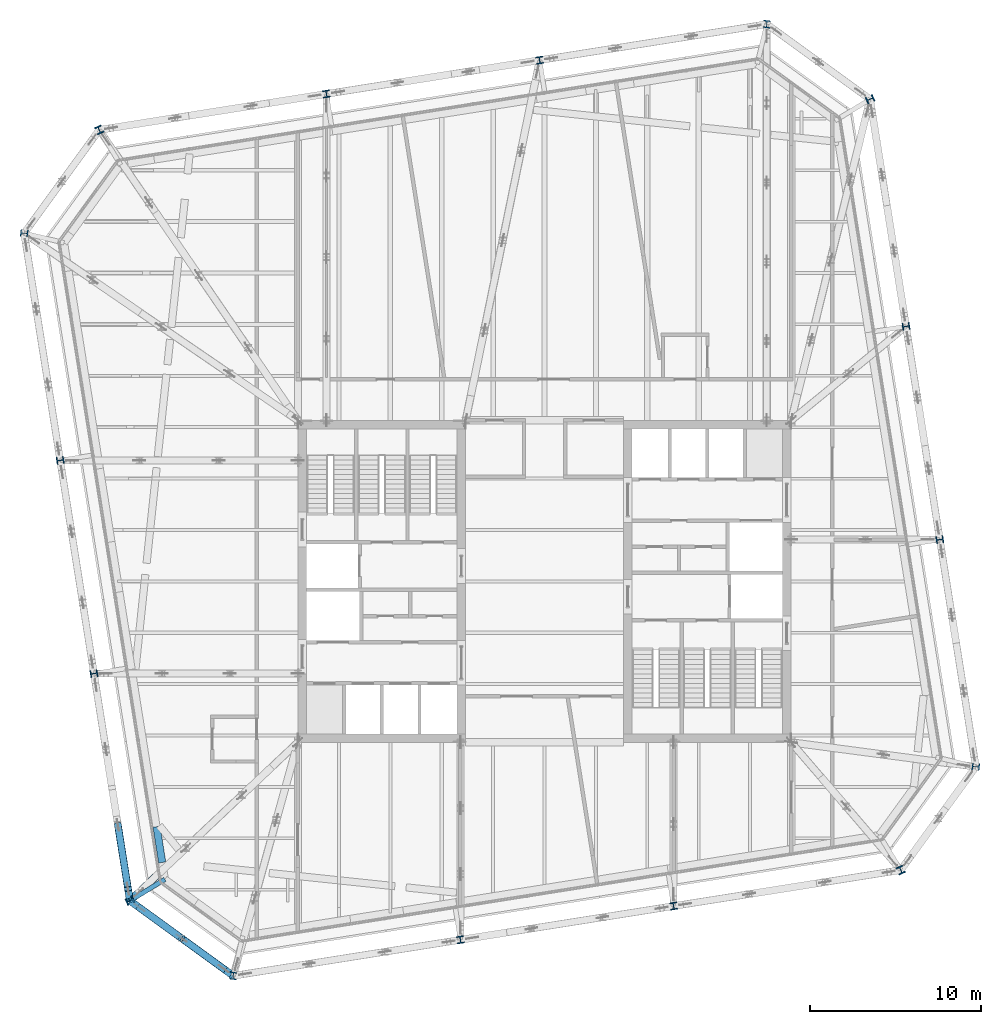
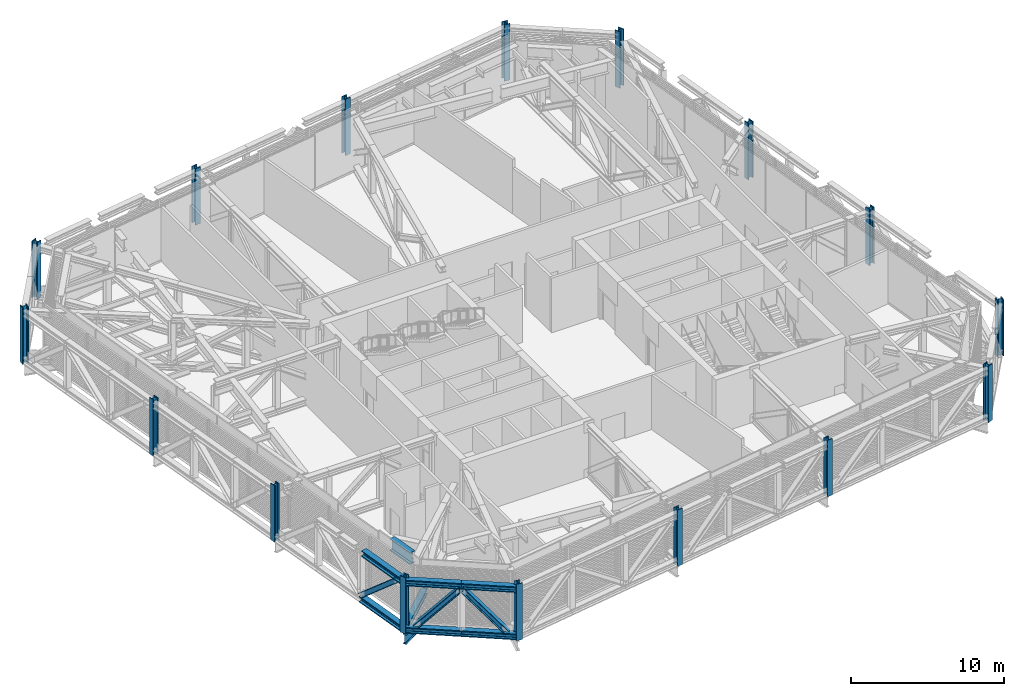
# One storey, part 1 of 32: 16 columns, 9 beams, 3 members.
"""IFC4 building model written with IfcOpenShell, lengths in metres."""

from ifc_helpers import new_model, si_unit, direction, frame, origin, origin_2d, place, context, subcontext, project, spatial, i_section, extrude, material, material_profile, profile_set, type_object, element, save


model = new_model("IFC4")

# Units and contexts
model_context = context("Model", 3, precision=1e-05, world=origin(), true_north=direction((0.0, 1.0)))
body_context = subcontext(model_context, "Body", "Model", "MODEL_VIEW")
ifc_project = project(units=[si_unit("LENGTHUNIT", "METRE"), si_unit("AREAUNIT", "SQUARE_METRE"), si_unit("VOLUMEUNIT", "CUBIC_METRE"), si_unit("PLANEANGLEUNIT", "RADIAN"), si_unit("MASSUNIT", "GRAM", prefix="KILO")], contexts=[model_context])

# Site, building, storey
site_placement = place(None, origin())
site = spatial("IfcSite", under=ifc_project, at=site_placement, CompositionType="ELEMENT")
building_placement = place(site_placement, origin())
building = spatial("IfcBuilding", under=site, at=building_placement, Name="Millrace Tower", CompositionType="ELEMENT")
storey_placement = place(building_placement, frame((0.0, 0.0, 266.89990234375)))
storey = spatial("IfcBuildingStorey", under=building, at=storey_placement, Name="L61", CompositionType="ELEMENT", Elevation=266.89990234375)

# Columns
ifc_material_1 = material(Name="Steel ASTM A913 Grade 65", Category="steel")
ifc_material_profile_1 = material_profile(ifc_material_1, i_section(OverallWidth=0.408935546875, OverallDepth=0.424072265625, WebThickness=0.03271484375, FlangeThickness=0.052490234375, FilletRadius=0.01513671875, at=origin_2d()))
ifc_profile_set_1 = profile_set([ifc_material_profile_1], Name="Steel ASTM A913 Grade 65")
column_type_1 = type_object("IfcColumnType", Name="Exoskeleton column W14x283", PredefinedType="COLUMN", material=ifc_profile_set_1)
for number, where, z_axis, x_axis, name in (
    (1, (-4.91162109375, -20.927734375, 0.0), (0.0, 0.0, 1.0), (0.987688341035, 0.156434462265, 0.0), "COL-D-L61-X03"),
    (2, (7.533203125, -18.956787109375, 0.0), (0.0, 0.0, 1.0), (0.987688341035, 0.156434462265, 0.0), "COL-D-L61-X04"),
    (3, (23.07763671875, 2.4384765625, 0.0), (0.0, 0.0, 1.0), (-0.156434462265, 0.987688341035, 0.0), "COL-D-L61-X07"),
    (4, (21.106689453125, 14.88330078125, 0.0), (0.0, 0.0, 1.0), (-0.156434462265, 0.987688341035, 0.0), "COL-D-L61-X08"),
    (5, (-0.288330078125, 30.427734375, 0.0), (0.0, 0.0, 1.0), (-0.987688341035, -0.156434462265, 0.0), "COL-D-L61-X11"),
    (6, (-12.7333984375, 28.456787109375, 0.0), (0.0, 0.0, 1.0), (-0.987688341035, -0.156434462265, 0.0), "COL-D-L61-X12"),
    (7, (-28.27783203125, 7.0615234375, 0.0), (0.0, 0.0, 1.0), (0.156434462265, -0.987688341035, 0.0), "COL-D-L61-X15"),
    (8, (-26.306640625, -5.38330078125, 0.0), (0.0, 0.0, 1.0), (0.156434462265, -0.987688341035, 0.0), "COL-D-L61-X16"),
):
    element("IfcColumn", number, at=place(storey_placement, frame(where, z_axis=z_axis, x_axis=x_axis)), inside=storey, type_object=column_type_1, Name=name, PredefinedType="COLUMN", context=body_context, shape_type="SweptSolid", body=[
        extrude(i_section(OverallWidth=0.408935546875, OverallDepth=0.424072265625, WebThickness=0.03271484375, FlangeThickness=0.052490234375, FilletRadius=0.01513671875, at=origin_2d()), origin(), (0.0, 0.0, 1.0), 4.5),
    ])
ifc_material_2 = material(Name="Steel ASTM A913 Grade 65", Category="steel")
ifc_material_profile_2 = material_profile(ifc_material_2, i_section(OverallWidth=0.41650390625, OverallDepth=0.444580078125, WebThickness=0.0390625, FlangeThickness=0.062744140625, FilletRadius=0.01513671875, at=origin_2d()))
ifc_profile_set_2 = profile_set([ifc_material_profile_2], Name="Steel ASTM A913 Grade 65")
column_type_2 = type_object("IfcColumnType", Name="Exoskeleton column W14x342", PredefinedType="COLUMN", material=ifc_profile_set_2)
for number, where, z_axis, x_axis, name in (
    (9, (-24.2060546875, -18.646484375, 0.0), (0.0, 0.0, 1.0), (0.418552981224, -0.908192381552, 0.0), "COL-D-L61-X01"),
    (10, (-18.174560546875, -23.0283203125, 0.0), (0.0, 0.0, 1.0), (0.993082267365, -0.117420655103, 0.0), "COL-D-L61-X02"),
    (11, (20.79638671875, -16.85595703125, 0.0), (0.0, 0.0, 1.0), (0.908192381552, 0.418552981224, 0.0), "COL-D-L61-X05"),
    (12, (25.178466796875, -10.82470703125, 0.0), (0.0, 0.0, 1.0), (0.117420655103, 0.993082267365, 0.0), "COL-D-L61-X06"),
    (13, (19.006103515625, 28.146484375, 0.0), (0.0, 0.0, 1.0), (-0.418552981224, 0.908192381552, 0.0), "COL-D-L61-X09"),
    (14, (12.974609375, 32.5283203125, 0.0), (0.0, 0.0, 1.0), (-0.993082267365, 0.117420655103, 0.0), "COL-D-L61-X10"),
    (15, (-25.996337890625, 26.35595703125, 0.0), (0.0, 0.0, 1.0), (-0.908192381552, -0.418552981224, 0.0), "COL-D-L61-X13"),
    (16, (-30.37841796875, 20.32470703125, 0.0), (0.0, 0.0, 1.0), (-0.117420655103, -0.993082267365, 0.0), "COL-D-L61-X14"),
):
    element("IfcColumn", number, at=place(storey_placement, frame(where, z_axis=z_axis, x_axis=x_axis)), inside=storey, type_object=column_type_2, Name=name, PredefinedType="COLUMN", context=body_context, shape_type="SweptSolid", body=[
        extrude(i_section(OverallWidth=0.41650390625, OverallDepth=0.444580078125, WebThickness=0.0390625, FlangeThickness=0.062744140625, FilletRadius=0.01513671875, at=origin_2d()), origin(), (0.0, 0.0, 1.0), 4.5),
    ])

# Beams
ifc_material_3 = material(Name="Steel ASTM A992 Grade 50", Category="steel")
ifc_material_profile_3 = material_profile(ifc_material_3, i_section(OverallWidth=0.424072265625, OverallDepth=0.47509765625, WebThickness=0.0478515625, FlangeThickness=0.0771484375, FilletRadius=0.014892578125, at=origin_2d()))
ifc_profile_set_3 = profile_set([ifc_material_profile_3], Name="Steel ASTM A992 Grade 50")
beam_type_1 = type_object("IfcBeamType", Name="Belt truss chord W14x426", PredefinedType="BEAM", material=ifc_profile_set_3)
beam_1_placement = place(storey_placement, frame((-24.2060546875, -18.646484375, 0.237548828125), z_axis=(0.809024883744, -0.587774393355, 0.0), x_axis=(0.587774393355, 0.809024883744, 0.0)))
element("IfcBeam", 17, at=beam_1_placement, inside=storey, type_object=beam_type_1, Name="BLT-L61-R01-B01", PredefinedType="BEAM", context=body_context, shape_type="SweptSolid", body=[
    extrude(i_section(OverallWidth=0.424072265625, OverallDepth=0.47509765625, WebThickness=0.0478515625, FlangeThickness=0.0771484375, FilletRadius=0.014892578125, at=origin_2d()), origin(), (0.0, 0.0, 1.0), 3.7275390625),
])
beam_2_placement = place(storey_placement, frame((-21.1904296875, -20.83740234375, 0.237548828125), z_axis=(0.809047509932, -0.587743248938, 0.0), x_axis=(0.587743248938, 0.809047509932, 0.0)))
element("IfcBeam", 18, at=beam_2_placement, inside=storey, type_object=beam_type_1, Name="BLT-L61-R01-B02", PredefinedType="BEAM", context=body_context, shape_type="SweptSolid", body=[
    extrude(i_section(OverallWidth=0.424072265625, OverallDepth=0.47509765625, WebThickness=0.0478515625, FlangeThickness=0.0771484375, FilletRadius=0.014892578125, at=origin_2d()), origin(), (0.0, 0.0, 1.0), 3.727783203125),
])
beam_3_placement = place(storey_placement, frame((-24.90625, -14.225341796875, 0.237548828125), z_axis=(0.156424684061, -0.9876898897, 0.0), x_axis=(0.9876898897, 0.156424684061, 0.0)))
element("IfcBeam", 19, at=beam_3_placement, inside=storey, type_object=beam_type_1, Name="BLT-L61-R16-B03", PredefinedType="BEAM", context=body_context, shape_type="SweptSolid", body=[
    extrude(i_section(OverallWidth=0.424072265625, OverallDepth=0.47509765625, WebThickness=0.0478515625, FlangeThickness=0.0771484375, FilletRadius=0.014892578125, at=origin_2d()), origin(), (0.0, 0.0, 1.0), 4.476318359375),
])
beam_4_placement = place(storey_placement, frame((-24.15283203125, -18.68505859375, 4.002685546875), z_axis=(0.809012778693, -0.587791054637, 0.0), x_axis=(0.587791054637, 0.809012778693, 0.0)))
element("IfcBeam", 20, at=beam_4_placement, inside=storey, type_object=beam_type_1, Name="BLT-L61-R01-T01", PredefinedType="BEAM", context=body_context, shape_type="SweptSolid", body=[
    extrude(i_section(OverallWidth=0.424072265625, OverallDepth=0.47509765625, WebThickness=0.0478515625, FlangeThickness=0.0771484375, FilletRadius=0.014892578125, at=origin_2d()), origin(), (0.0, 0.0, 1.0), 3.661865234375),
])
beam_5_placement = place(storey_placement, frame((-21.1904296875, -20.83740234375, 4.002685546875), z_axis=(0.809035551496, -0.587759709759, 0.0), x_axis=(0.587759709759, 0.809035551496, 0.0)))
element("IfcBeam", 21, at=beam_5_placement, inside=storey, type_object=beam_type_1, Name="BLT-L61-R01-T02", PredefinedType="BEAM", context=body_context, shape_type="SweptSolid", body=[
    extrude(i_section(OverallWidth=0.424072265625, OverallDepth=0.47509765625, WebThickness=0.0478515625, FlangeThickness=0.0771484375, FilletRadius=0.014892578125, at=origin_2d()), origin(), (0.0, 0.0, 1.0), 3.5947265625),
])
beam_6_placement = place(storey_placement, frame((-24.867431640625, -14.469970703125, 4.002685546875), z_axis=(0.15641865979, -0.987690843771, 0.0), x_axis=(0.987690843771, 0.15641865979, 0.0)))
element("IfcBeam", 22, at=beam_6_placement, inside=storey, type_object=beam_type_1, Name="BLT-L61-R16-T03", PredefinedType="BEAM", context=body_context, shape_type="SweptSolid", body=[
    extrude(i_section(OverallWidth=0.424072265625, OverallDepth=0.47509765625, WebThickness=0.0478515625, FlangeThickness=0.0771484375, FilletRadius=0.014892578125, at=origin_2d()), origin(), (0.0, 0.0, 1.0), 4.095458984375),
])

# Members
ifc_material_4 = material(Name="Steel ASTM A992 Grade 50", Category="steel")
ifc_material_profile_4 = material_profile(ifc_material_4, i_section(OverallWidth=0.398681640625, OverallDepth=0.385986328125, WebThickness=0.02099609375, FlangeThickness=0.033203125, FilletRadius=0.01513671875, at=origin_2d()))
ifc_profile_set_4 = profile_set([ifc_material_profile_4], Name="Steel ASTM A992 Grade 50")
member_type = type_object("IfcMemberType", Name="Belt truss diagonal W14x176", PredefinedType="BRACE", material=ifc_profile_set_4)
member_1_placement = place(storey_placement, frame((-23.6396484375, -19.057861328125, 0.47509765625), z_axis=(0.547801727227, -0.398019018118, 0.735862846503), x_axis=(0.58780242498, 0.809004517409, 0.0)))
element("IfcMember", 23, at=member_1_placement, inside=storey, type_object=member_type, Name="BLT-L61-R01-D01", PredefinedType="BRACE", context=body_context, shape_type="SweptSolid", body=[
    extrude(i_section(OverallWidth=0.398681640625, OverallDepth=0.385986328125, WebThickness=0.02099609375, FlangeThickness=0.033203125, FilletRadius=0.01513671875, at=origin_2d()), origin(), (0.0, 0.0, 1.0), 4.470947265625),
])
member_2_placement = place(storey_placement, frame((-18.740966796875, -22.616943359375, 0.47509765625), z_axis=(-0.547839944581, 0.398007112135, 0.735840834564), x_axis=(-0.587764078554, -0.809032377573, 0.0)))
element("IfcMember", 24, at=member_2_placement, inside=storey, type_object=member_type, Name="BLT-L61-R01-D02", PredefinedType="BRACE", context=body_context, shape_type="SweptSolid", body=[
    extrude(i_section(OverallWidth=0.398681640625, OverallDepth=0.385986328125, WebThickness=0.02099609375, FlangeThickness=0.033203125, FilletRadius=0.01513671875, at=origin_2d()), origin(), (0.0, 0.0, 1.0), 4.47119140625),
])
member_3_placement = place(storey_placement, frame((-24.90625, -14.225341796875, 0.47509765625), z_axis=(0.117965202171, -0.744691898166, 0.656900439856), x_axis=(0.987684735163, 0.156457227145, 0.0)))
element("IfcMember", 25, at=member_3_placement, inside=storey, type_object=member_type, Name="BLT-L61-R16-D03", PredefinedType="BRACE", context=body_context, shape_type="SweptSolid", body=[
    extrude(i_section(OverallWidth=0.398681640625, OverallDepth=0.385986328125, WebThickness=0.02099609375, FlangeThickness=0.033203125, FilletRadius=0.01513671875, at=origin_2d()), origin(), (0.0, 0.0, 1.0), 5.008544921875),
])

# Beams
ifc_material_5 = material(Name="Steel ASTM A992 Grade 50", Category="steel")
ifc_material_profile_5 = material_profile(ifc_material_5, i_section(OverallWidth=0.2666015625, OverallDepth=0.7568359375, WebThickness=0.013916015625, FlangeThickness=0.019287109375, FilletRadius=0.0166015625, at=origin_2d()))
ifc_profile_set_5 = profile_set([ifc_material_profile_5], Name="Steel ASTM A992 Grade 50")
beam_type_2 = type_object("IfcBeamType", Name="Link beam W30x108", PredefinedType="BEAM", material=ifc_profile_set_5)
beam_7_placement = place(storey_placement, frame((-22.165771484375, -17.39599609375, -0.62841796875), z_axis=(-0.852602718693, -0.522559665567, 0.0), x_axis=(0.522559665567, -0.852602718693, 0.0)))
element("IfcBeam", 26, at=beam_7_placement, inside=storey, type_object=beam_type_2, Name="LNK-D-L61-S1-01", PredefinedType="BEAM", context=body_context, shape_type="SweptSolid", body=[
    extrude(i_section(OverallWidth=0.2666015625, OverallDepth=0.7568359375, WebThickness=0.013916015625, FlangeThickness=0.019287109375, FilletRadius=0.0166015625, at=origin_2d()), origin(), (0.0, 0.0, 1.0), 2.39306640625),
])
ifc_material_6 = material(Name="Steel ASTM A992 Grade 50", Category="steel")
ifc_material_profile_6 = material_profile(ifc_material_6, i_section(OverallWidth=0.424072265625, OverallDepth=0.47509765625, WebThickness=0.0478515625, FlangeThickness=0.0771484375, FilletRadius=0.014892578125, at=origin_2d()))
ifc_profile_set_6 = profile_set([ifc_material_profile_6], Name="Steel ASTM A992 Grade 50")
beam_type_3 = type_object("IfcBeamType", Name="Outrigger truss chord W14x426", PredefinedType="BEAM", material=ifc_profile_set_6)
beam_8_placement = place(storey_placement, frame((-20.937255859375, -15.564208984375, 0.237548828125), z_axis=(-0.727559957581, -0.686044100714, 0.0), x_axis=(0.686044100714, -0.727559957581, 0.0)))
element("IfcBeam", 27, at=beam_8_placement, inside=storey, type_object=beam_type_3, Name="BLT-L61-O01-B03", PredefinedType="BEAM", context=body_context, shape_type="SweptSolid", body=[
    extrude(i_section(OverallWidth=0.424072265625, OverallDepth=0.47509765625, WebThickness=0.0478515625, FlangeThickness=0.0771484375, FilletRadius=0.014892578125, at=origin_2d()), origin(), (0.0, 0.0, 1.0), 4.492919921875),
])
ifc_material_7 = material(Name="Steel ASTM A992 Grade 50", Category="steel")
ifc_material_profile_7 = material_profile(ifc_material_7, i_section(OverallWidth=0.421630859375, OverallDepth=0.937255859375, WebThickness=0.021240234375, FlangeThickness=0.03662109375, FilletRadius=0.024169921875, at=origin_2d()))
ifc_profile_set_7 = profile_set([ifc_material_profile_7], Name="Steel ASTM A992 Grade 50")
beam_type_4 = type_object("IfcBeamType", Name="Ring beam short span W36x262", PredefinedType="SPANDREL", material=ifc_profile_set_7)
beam_9_placement = place(storey_placement, frame((-22.32177734375, -16.410888671875, 3.87158203125), z_axis=(-0.15641439942, 0.987691518468, 0.0), x_axis=(-0.987691518468, -0.15641439942, 0.0)))
element("IfcBeam", 28, at=beam_9_placement, inside=storey, type_object=beam_type_4, Name="RNG-D-L61-R2-02", PredefinedType="SPANDREL", context=body_context, shape_type="SweptSolid", body=[
    extrude(i_section(OverallWidth=0.421630859375, OverallDepth=0.937255859375, WebThickness=0.021240234375, FlangeThickness=0.03662109375, FilletRadius=0.024169921875, at=origin_2d()), origin(), (0.0, 0.0, 1.0), 2.108642578125),
])

save(model, "model.ifc")
